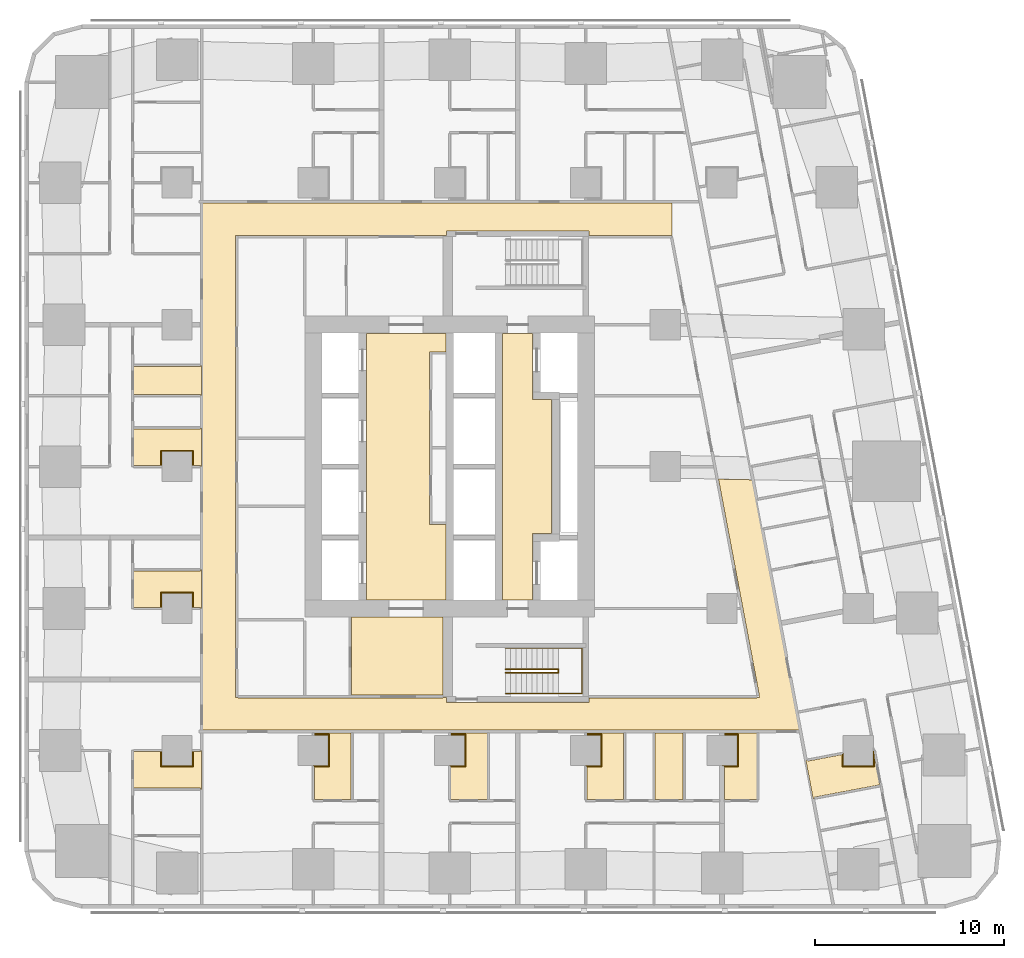
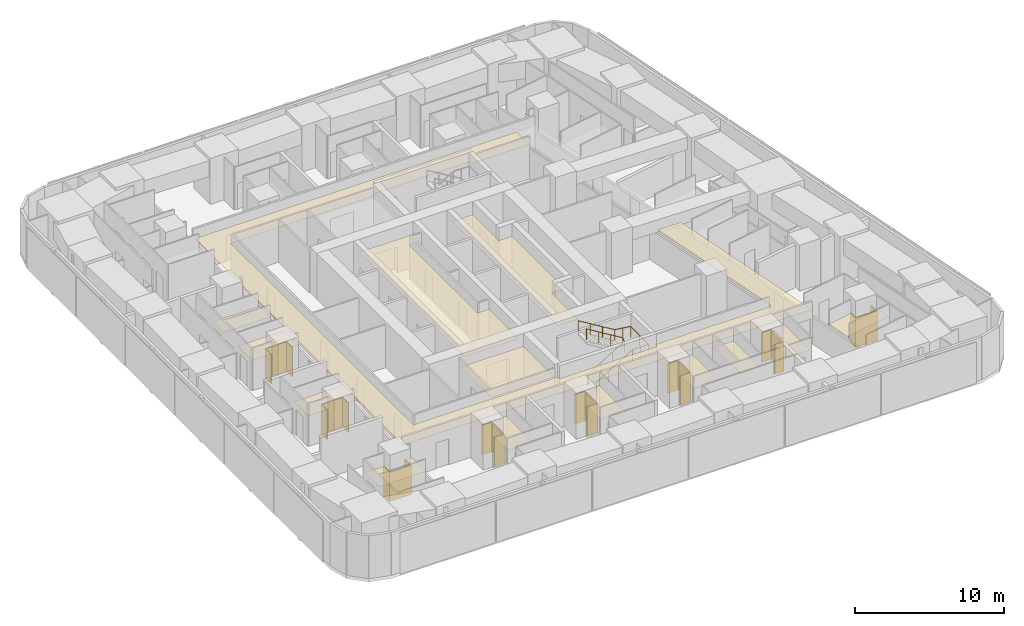
# One storey, part 14 of 16: 22 coverings, 2 railings.
"""IFC4 building model written with IfcOpenShell, lengths in metres."""

from ifc_helpers import new_model, si_unit, direction, frame, origin, origin_2d, place, context, subcontext, project, spatial, polyline, circle, outline, extrude, material, layer, layer_set, type_object, element, save


model = new_model("IFC4")

# Units and contexts
model_context = context("Model", 3, precision=1e-05, world=origin(), true_north=direction((0.0, 1.0)))
body_context = subcontext(model_context, "Body", "Model", "MODEL_VIEW")
ifc_project = project(units=[si_unit("LENGTHUNIT", "METRE"), si_unit("AREAUNIT", "SQUARE_METRE"), si_unit("VOLUMEUNIT", "CUBIC_METRE"), si_unit("PLANEANGLEUNIT", "RADIAN"), si_unit("MASSUNIT", "GRAM", prefix="KILO")], contexts=[model_context])

# Site, building, storey
site_placement = place(None, origin())
site = spatial("IfcSite", under=ifc_project, at=site_placement, CompositionType="ELEMENT")
building_placement = place(site_placement, origin())
building = spatial("IfcBuilding", under=site, at=building_placement, Name="Sheger Commons Tower", CompositionType="ELEMENT")
storey_placement = place(building_placement, frame((0.0, 0.0, 96.64990234375)))
storey = spatial("IfcBuildingStorey", under=building, at=storey_placement, Name="L24", CompositionType="ELEMENT", Elevation=96.64990234375)

# Railings
ifc_material_1 = material(Name="Steel handrail, black powder-coated", Category="steel")
railing_type = type_object("IfcRailingType", Name="HANDRAIL 900", PredefinedType="HANDRAIL", material=ifc_material_1)
railing_1_placement = place(storey_placement, frame((24.550048828125, 11.60009765625, 0.170654296875)))
element("IfcRailing", 1, at=railing_1_placement, inside=storey, type_object=railing_type, Name="Stair S1 handrail L24", PredefinedType="HANDRAIL", context=body_context, shape_type="SweptSolid", body=[
    extrude(circle(Radius=0.02392578125, at=origin_2d()), frame((0.0, 0.0, 0.8759765625), z_axis=(0.854202870247, 0.0, 0.519939858505), x_axis=(0.0, 1.0, 0.0)), (0.0, 0.0, 1.0), 3.278076171875),
    extrude(circle(Radius=0.02392578125, at=origin_2d()), frame((2.800048828125, 0.0, 2.580078125), z_axis=(0.0, 0.760631612298, 0.649183757016), x_axis=(-1.0, 0.0, 0.0)), (0.0, 0.0, 1.0), 0.262939453125),
    extrude(circle(Radius=0.02392578125, at=origin_2d()), frame((2.800048828125, 0.199951171875, 2.7509765625), z_axis=(-0.854202870247, 0.0, 0.519939858505), x_axis=(0.0, -1.0, 0.0)), (0.0, 0.0, 1.0), 3.278076171875),
    extrude(circle(Radius=0.02099609375, at=origin_2d()), origin(), (0.0, 0.0, 1.0), 0.851806640625),
    extrude(circle(Radius=0.02099609375, at=origin_2d()), frame((0.933349609375, 0.0, 0.568115234375)), (0.0, 0.0, 1.0), 0.851806640625),
    extrude(circle(Radius=0.02099609375, at=origin_2d()), frame((1.86669921875, 0.0, 1.13623046875)), (0.0, 0.0, 1.0), 0.851806640625),
    extrude(circle(Radius=0.02099609375, at=origin_2d()), frame((2.800048828125, 0.0, 1.704345703125)), (0.0, 0.0, 1.0), 0.851806640625),
    extrude(circle(Radius=0.02099609375, at=origin_2d()), frame((2.800048828125, 0.199951171875, 1.875)), (0.0, 0.0, 1.0), 0.851806640625),
    extrude(circle(Radius=0.02099609375, at=origin_2d()), frame((1.86669921875, 0.199951171875, 2.443115234375)), (0.0, 0.0, 1.0), 0.851806640625),
    extrude(circle(Radius=0.02099609375, at=origin_2d()), frame((0.933349609375, 0.199951171875, 3.01123046875)), (0.0, 0.0, 1.0), 0.851806640625),
    extrude(circle(Radius=0.02099609375, at=origin_2d()), frame((0.0, 0.199951171875, 3.579345703125)), (0.0, 0.0, 1.0), 0.851806640625),
])
railing_2_placement = place(storey_placement, frame((24.550048828125, 10.5, 0.170654296875)))
element("IfcRailing", 2, at=railing_2_placement, inside=storey, type_object=railing_type, Name="Stair S1 handrail L24", PredefinedType="HANDRAIL", context=body_context, shape_type="SweptSolid", body=[
    extrude(circle(Radius=0.02392578125, at=origin_2d()), frame((0.0, 0.0, 0.8759765625), z_axis=(0.854202870247, 0.0, 0.519939858505), x_axis=(0.0, 1.0, 0.0)), (0.0, 0.0, 1.0), 3.278076171875),
    extrude(circle(Radius=0.02392578125, at=origin_2d()), frame((2.800048828125, 0.0, 2.580078125), z_axis=(1.0, 0.0, 0.0), x_axis=(0.0, 1.0, 0.0)), (0.0, 0.0, 1.0), 1.25),
    extrude(circle(Radius=0.02392578125, at=origin_2d()), frame((4.050048828125, 0.0, 2.580078125), z_axis=(0.0, 1.0, 0.0), x_axis=(-1.0, 0.0, 0.0)), (0.0, 0.0, 1.0), 2.39990234375),
    extrude(circle(Radius=0.02392578125, at=origin_2d()), frame((4.050048828125, 2.39990234375, 2.580078125), z_axis=(-0.990808959222, 0.0, 0.135268645019), x_axis=(0.0, -1.0, 0.0)), (0.0, 0.0, 1.0), 1.261474609375),
    extrude(circle(Radius=0.02392578125, at=origin_2d()), frame((2.800048828125, 2.39990234375, 2.7509765625), z_axis=(-0.854202870247, 0.0, 0.519939858505), x_axis=(0.0, -1.0, 0.0)), (0.0, 0.0, 1.0), 3.278076171875),
    extrude(circle(Radius=0.02099609375, at=origin_2d()), origin(), (0.0, 0.0, 1.0), 0.851806640625),
    extrude(circle(Radius=0.02099609375, at=origin_2d()), frame((0.933349609375, 0.0, 0.568115234375)), (0.0, 0.0, 1.0), 0.851806640625),
    extrude(circle(Radius=0.02099609375, at=origin_2d()), frame((1.86669921875, 0.0, 1.13623046875)), (0.0, 0.0, 1.0), 0.851806640625),
    extrude(circle(Radius=0.02099609375, at=origin_2d()), frame((2.800048828125, 0.0, 1.704345703125)), (0.0, 0.0, 1.0), 0.851806640625),
    extrude(circle(Radius=0.02099609375, at=origin_2d()), frame((3.425048828125, 0.0, 1.704345703125)), (0.0, 0.0, 1.0), 0.851806640625),
    extrude(circle(Radius=0.02099609375, at=origin_2d()), frame((4.050048828125, 0.0, 1.704345703125)), (0.0, 0.0, 1.0), 0.851806640625),
    extrude(circle(Radius=0.02099609375, at=origin_2d()), frame((4.050048828125, 1.199951171875, 1.704345703125)), (0.0, 0.0, 1.0), 0.851806640625),
    extrude(circle(Radius=0.02099609375, at=origin_2d()), frame((4.050048828125, 2.39990234375, 1.704345703125)), (0.0, 0.0, 1.0), 0.851806640625),
    extrude(circle(Radius=0.02099609375, at=origin_2d()), frame((3.425048828125, 2.39990234375, 1.78955078125)), (0.0, 0.0, 1.0), 0.851806640625),
    extrude(circle(Radius=0.02099609375, at=origin_2d()), frame((2.800048828125, 2.39990234375, 1.875)), (0.0, 0.0, 1.0), 0.851806640625),
    extrude(circle(Radius=0.02099609375, at=origin_2d()), frame((1.86669921875, 2.39990234375, 2.443115234375)), (0.0, 0.0, 1.0), 0.851806640625),
    extrude(circle(Radius=0.02099609375, at=origin_2d()), frame((0.933349609375, 2.39990234375, 3.01123046875)), (0.0, 0.0, 1.0), 0.851806640625),
    extrude(circle(Radius=0.02099609375, at=origin_2d()), frame((0.0, 2.39990234375, 3.579345703125)), (0.0, 0.0, 1.0), 0.851806640625),
])

# Coverings
ifc_material_2 = material(Name="Moisture-resistant gypsum plasterboard 15 mm on a suspended galvanised steel grid", Category="steel")
ifc_layer_1 = layer(ifc_material_2, 0.014892578125)
ifc_layer_set_1 = layer_set([ifc_layer_1], Name="MOISTURE-RESISTANT CEILING 15")
covering_type_1 = type_object("IfcCoveringType", Name="MOISTURE-RESISTANT CEILING 15", PredefinedType="CEILING", material=ifc_layer_set_1)
covering_1_placement = place(storey_placement, frame((0.0, 0.0, 2.400146484375)))
element("IfcCovering", 3, at=covering_1_placement, inside=storey, type_object=covering_type_1, Name="L24-01.B1 ceiling", PredefinedType="CEILING", context=body_context, shape_type="SweptSolid", body=[
    extrude(outline(polyline([(8.429931640625, 5.449951171875), (8.5, 5.449951171875), (8.5, 7.5), (8.429931640625, 7.5), (8.429931640625, 7.445068359375), (8.0048828125, 7.445068359375), (8.0048828125, 6.695068359375), (6.39501953125, 6.695068359375), (6.39501953125, 7.445068359375), (4.905029296875, 7.445068359375), (4.905029296875, 5.5048828125), (8.429931640625, 5.5048828125), (8.429931640625, 5.449951171875)])), origin(), (0.0, 0.0, 1.0), 0.014892578125),
])
covering_2_placement = place(storey_placement, frame((0.0, 0.0, 2.400146484375)))
element("IfcCovering", 4, at=covering_2_placement, inside=storey, type_object=covering_type_1, Name="L24-02.B1 ceiling", PredefinedType="CEILING", context=body_context, shape_type="SweptSolid", body=[
    extrude(outline(polyline([(8.429931640625, 15.0), (8.5, 15.0), (8.5, 17.050048828125), (8.429931640625, 17.050048828125), (8.429931640625, 16.9951171875), (4.905029296875, 16.9951171875), (4.905029296875, 15.054931640625), (6.39501953125, 15.054931640625), (6.39501953125, 15.804931640625), (8.0048828125, 15.804931640625), (8.0048828125, 15.054931640625), (8.429931640625, 15.054931640625), (8.429931640625, 15.0)])), origin(), (0.0, 0.0, 1.0), 0.014892578125),
])
covering_3_placement = place(storey_placement, frame((0.0, 0.0, 2.400146484375)))
element("IfcCovering", 5, at=covering_3_placement, inside=storey, type_object=covering_type_1, Name="L24-03.B1 ceiling", PredefinedType="CEILING", context=body_context, shape_type="SweptSolid", body=[
    extrude(outline(polyline([(8.429931640625, 22.5), (8.5, 22.5), (8.5, 24.550048828125), (8.429931640625, 24.550048828125), (8.429931640625, 24.4951171875), (4.905029296875, 24.4951171875), (4.905029296875, 22.554931640625), (6.39501953125, 22.554931640625), (6.39501953125, 23.304931640625), (8.0048828125, 23.304931640625), (8.0048828125, 22.554931640625), (8.429931640625, 22.554931640625), (8.429931640625, 22.5)])), origin(), (0.0, 0.0, 1.0), 0.014892578125),
])
covering_4_placement = place(storey_placement, frame((0.0, 0.0, 2.400146484375)))
element("IfcCovering", 6, at=covering_4_placement, inside=storey, type_object=covering_type_1, Name="L24-03.B2 ceiling", PredefinedType="CEILING", context=body_context, shape_type="SweptSolid", body=[
    extrude(outline(polyline([(8.429931640625, 26.25), (8.5, 26.25), (8.5, 27.85009765625), (8.429931640625, 27.85009765625), (8.429931640625, 27.794921875), (4.905029296875, 27.794921875), (4.905029296875, 26.304931640625), (8.429931640625, 26.304931640625), (8.429931640625, 26.25)])), origin(), (0.0, 0.0, 1.0), 0.014892578125),
])
covering_5_placement = place(storey_placement, frame((0.0, 0.0, 2.400146484375)))
element("IfcCovering", 7, at=covering_5_placement, inside=storey, type_object=covering_type_1, Name="L24-05.B1 ceiling", PredefinedType="CEILING", context=body_context, shape_type="SweptSolid", body=[
    extrude(outline(polyline([(14.455078125, 4.905029296875), (16.39501953125, 4.905029296875), (16.39501953125, 8.419921875), (14.455078125, 8.419921875), (14.455078125, 8.304931640625), (15.205078125, 8.304931640625), (15.205078125, 6.695068359375), (14.455078125, 6.695068359375), (14.455078125, 4.905029296875)])), origin(), (0.0, 0.0, 1.0), 0.014892578125),
])
covering_6_placement = place(storey_placement, frame((0.0, 0.0, 2.400146484375)))
element("IfcCovering", 8, at=covering_6_placement, inside=storey, type_object=covering_type_1, Name="L24-06.B1 ceiling", PredefinedType="CEILING", context=body_context, shape_type="SweptSolid", body=[
    extrude(outline(polyline([(21.655029296875, 4.905029296875), (23.594970703125, 4.905029296875), (23.594970703125, 8.419921875), (21.655029296875, 8.419921875), (21.655029296875, 8.304931640625), (22.405029296875, 8.304931640625), (22.405029296875, 6.695068359375), (21.655029296875, 6.695068359375), (21.655029296875, 4.905029296875)])), origin(), (0.0, 0.0, 1.0), 0.014892578125),
])
covering_7_placement = place(storey_placement, frame((0.0, 0.0, 2.400146484375)))
element("IfcCovering", 9, at=covering_7_placement, inside=storey, type_object=covering_type_1, Name="L24-07.B1 ceiling", PredefinedType="CEILING", context=body_context, shape_type="SweptSolid", body=[
    extrude(outline(polyline([(28.85498046875, 4.905029296875), (30.794921875, 4.905029296875), (30.794921875, 8.419921875), (28.85498046875, 8.419921875), (28.85498046875, 8.304931640625), (29.60498046875, 8.304931640625), (29.60498046875, 6.695068359375), (28.85498046875, 6.695068359375), (28.85498046875, 4.905029296875)])), origin(), (0.0, 0.0, 1.0), 0.014892578125),
])
covering_8_placement = place(storey_placement, frame((0.0, 0.0, 2.400146484375)))
element("IfcCovering", 10, at=covering_8_placement, inside=storey, type_object=covering_type_1, Name="L24-07.B2 ceiling", PredefinedType="CEILING", context=body_context, shape_type="SweptSolid", body=[
    extrude(outline(polyline([(32.455078125, 4.905029296875), (33.945068359375, 4.905029296875), (33.945068359375, 8.419921875), (32.455078125, 8.419921875), (32.455078125, 4.905029296875)])), origin(), (0.0, 0.0, 1.0), 0.014892578125),
])
covering_9_placement = place(storey_placement, frame((0.0, 0.0, 2.400146484375)))
element("IfcCovering", 11, at=covering_9_placement, inside=storey, type_object=covering_type_1, Name="L24-08.B1 ceiling", PredefinedType="CEILING", context=body_context, shape_type="SweptSolid", body=[
    extrude(outline(polyline([(36.1298828125, 4.905029296875), (37.8349609375, 4.905029296875), (37.8349609375, 8.419921875), (36.1298828125, 8.419921875), (36.1298828125, 8.304931640625), (36.804931640625, 8.304931640625), (36.804931640625, 6.695068359375), (36.1298828125, 6.695068359375), (36.1298828125, 4.905029296875)])), origin(), (0.0, 0.0, 1.0), 0.014892578125),
])
covering_10_placement = place(storey_placement, frame((0.0, 0.0, 2.400146484375)))
element("IfcCovering", 12, at=covering_10_placement, inside=storey, type_object=covering_type_1, Name="L24-11.B1 ceiling", PredefinedType="CEILING", context=body_context, shape_type="SweptSolid", body=[
    extrude(outline(polyline([(40.81201171875, 4.962890625), (40.881103515625, 4.97607421875), (40.87109375, 5.030029296875), (44.333984375, 5.68408203125), (44.007080078125, 7.4150390625), (44.0048828125, 7.4150390625), (44.0048828125, 6.695068359375), (42.39501953125, 6.695068359375), (42.39501953125, 7.2919921875), (40.510009765625, 6.93603515625), (40.5, 6.990966796875), (40.431884765625, 6.97802734375), (40.81201171875, 4.962890625)])), origin(), (0.0, 0.0, 1.0), 0.014892578125),
])
ifc_material_3 = material(Name="Gypsum plasterboard 15 mm on a suspended steel grid", Category="steel")
ifc_layer_2 = layer(ifc_material_3, 0.014892578125)
ifc_layer_set_2 = layer_set([ifc_layer_2], Name="SUSPENDED CEILING 15")
covering_type_2 = type_object("IfcCoveringType", Name="SUSPENDED CEILING 15", PredefinedType="CEILING", material=ifc_layer_set_2)
covering_11_placement = place(storey_placement, frame((0.0, 0.0, 2.7001953125)))
element("IfcCovering", 13, at=covering_11_placement, inside=storey, type_object=covering_type_2, Name="L24-CO ceiling", PredefinedType="CEILING", context=body_context, shape_type="SweptSolid", body=[
    extrude(outline(polyline([(40.05810546875, 8.5), (40.14404296875, 8.5), (37.632080078125, 21.801025390625), (35.81103515625, 21.837890625), (37.967041015625, 10.4208984375), (37.949951171875, 10.4169921875), (37.971923828125, 10.300048828125), (37.841064453125, 10.300048828125), (37.841064453125, 10.281982421875), (28.955078125, 10.281982421875), (28.955078125, 10.044921875), (21.445068359375, 10.044921875), (21.445068359375, 10.300048828125), (21.2548828125, 10.300048828125), (21.2548828125, 10.281982421875), (10.407958984375, 10.281982421875), (10.407958984375, 10.294921875), (10.281982421875, 10.294921875), (10.281982421875, 34.705078125), (10.407958984375, 34.705078125), (10.407958984375, 34.718017578125), (21.2548828125, 34.718017578125), (21.2548828125, 34.699951171875), (21.445068359375, 34.699951171875), (21.445068359375, 34.955078125), (28.955078125, 34.955078125), (28.955078125, 34.718017578125), (33.3359375, 34.718017578125), (33.3359375, 34.699951171875), (33.361083984375, 34.699951171875), (33.361083984375, 36.419921875), (8.5, 36.419921875), (8.5, 8.580078125), (40.05810546875, 8.580078125), (40.05810546875, 8.5)])), origin(), (0.0, 0.0, 1.0), 0.014892578125),
])
covering_12_placement = place(storey_placement, frame((0.0, 0.0, 2.7001953125)))
element("IfcCovering", 14, at=covering_12_placement, inside=storey, type_object=covering_type_2, Name="L24-SVS1 ceiling", PredefinedType="CEILING", context=body_context, shape_type="SweptSolid", body=[
    extrude(outline(polyline([(16.406982421875, 10.41796875), (21.2451171875, 10.41796875), (21.2451171875, 14.544921875), (16.406982421875, 14.544921875), (16.406982421875, 10.41796875)])), origin(), (0.0, 0.0, 1.0), 0.014892578125),
])
covering_13_placement = place(storey_placement, frame((0.0, 0.0, 2.7001953125)))
element("IfcCovering", 15, at=covering_13_placement, inside=storey, type_object=covering_type_2, Name="L24-LL ceiling", PredefinedType="CEILING", context=body_context, shape_type="SweptSolid", body=[
    extrude(outline(polyline([(17.205078125, 15.455078125), (21.39990234375, 15.455078125), (21.39990234375, 19.43310546875), (20.657958984375, 19.43310546875), (20.532958984375, 19.43310546875), (20.532958984375, 28.56689453125), (20.657958984375, 28.56689453125), (21.39990234375, 28.56689453125), (21.39990234375, 29.544921875), (17.205078125, 29.544921875), (17.205078125, 15.455078125)])), origin(), (0.0, 0.0, 1.0), 0.014892578125),
])
covering_14_placement = place(storey_placement, frame((0.0, 0.0, 2.7001953125)))
element("IfcCovering", 16, at=covering_14_placement, inside=storey, type_object=covering_type_2, Name="L24-FL ceiling", PredefinedType="CEILING", context=body_context, shape_type="SweptSolid", body=[
    extrude(outline(polyline([(24.405029296875, 15.455078125), (25.9951171875, 15.455078125), (25.9951171875, 18.955078125), (26.9951171875, 18.955078125), (26.9951171875, 26.044921875), (25.9951171875, 26.044921875), (25.9951171875, 29.544921875), (24.405029296875, 29.544921875), (24.405029296875, 15.455078125)])), origin(), (0.0, 0.0, 1.0), 0.014892578125),
])
ifc_material_4 = material(Name="Moisture-resistant gypsum board 12.5 mm on 25 mm treated timber battens, tanked and tiled", Category="wood")
ifc_layer_3 = layer(ifc_material_4, 0.050048828125)
ifc_layer_set_3 = layer_set([ifc_layer_3], Name="WET-ROOM COLUMN LINING")
covering_type_3 = type_object("IfcCoveringType", Name="WET-ROOM COLUMN LINING", PredefinedType="CLADDING", material=ifc_layer_set_3)
covering_15_placement = place(storey_placement, origin())
element("IfcCovering", 17, at=covering_15_placement, inside=storey, type_object=covering_type_3, Name="Bathroom column lining C9 L24", PredefinedType="CLADDING", context=body_context, shape_type="SweptSolid", body=[
    extrude(outline(polyline([(6.39990234375, 7.5), (6.39990234375, 6.699951171875), (8.0, 6.699951171875), (8.0, 7.5), (8.0009765625, 7.5), (8.0009765625, 7.449951171875), (8.050048828125, 7.449951171875), (8.050048828125, 6.64990234375), (6.35009765625, 6.64990234375), (6.35009765625, 7.449951171875), (6.39892578125, 7.449951171875), (6.39892578125, 7.5), (6.39990234375, 7.5)])), origin(), (0.0, 0.0, 1.0), 2.400146484375),
])
covering_16_placement = place(storey_placement, origin())
element("IfcCovering", 18, at=covering_16_placement, inside=storey, type_object=covering_type_3, Name="Bathroom column lining C9 L24", PredefinedType="CLADDING", context=body_context, shape_type="SweptSolid", body=[
    extrude(outline(polyline([(15.25, 6.64990234375), (14.449951171875, 6.64990234375), (14.449951171875, 6.698974609375), (14.39990234375, 6.698974609375), (14.39990234375, 6.699951171875), (15.199951171875, 6.699951171875), (15.199951171875, 8.300048828125), (14.39990234375, 8.300048828125), (14.39990234375, 8.301025390625), (14.449951171875, 8.301025390625), (14.449951171875, 8.35009765625), (15.25, 8.35009765625), (15.25, 6.64990234375)])), origin(), (0.0, 0.0, 1.0), 2.400146484375),
])
covering_17_placement = place(storey_placement, origin())
element("IfcCovering", 19, at=covering_17_placement, inside=storey, type_object=covering_type_3, Name="Bathroom column lining C9 L24", PredefinedType="CLADDING", context=body_context, shape_type="SweptSolid", body=[
    extrude(outline(polyline([(22.449951171875, 6.64990234375), (21.64990234375, 6.64990234375), (21.64990234375, 6.698974609375), (21.60009765625, 6.698974609375), (21.60009765625, 6.699951171875), (22.39990234375, 6.699951171875), (22.39990234375, 8.300048828125), (21.60009765625, 8.300048828125), (21.60009765625, 8.301025390625), (21.64990234375, 8.301025390625), (21.64990234375, 8.35009765625), (22.449951171875, 8.35009765625), (22.449951171875, 6.64990234375)])), origin(), (0.0, 0.0, 1.0), 2.400146484375),
])
covering_18_placement = place(storey_placement, origin())
element("IfcCovering", 20, at=covering_18_placement, inside=storey, type_object=covering_type_3, Name="Bathroom column lining C9 L24", PredefinedType="CLADDING", context=body_context, shape_type="SweptSolid", body=[
    extrude(outline(polyline([(29.64990234375, 6.64990234375), (28.85009765625, 6.64990234375), (28.85009765625, 6.698974609375), (28.800048828125, 6.698974609375), (28.800048828125, 6.699951171875), (29.60009765625, 6.699951171875), (29.60009765625, 8.300048828125), (28.800048828125, 8.300048828125), (28.800048828125, 8.301025390625), (28.85009765625, 8.301025390625), (28.85009765625, 8.35009765625), (29.64990234375, 8.35009765625), (29.64990234375, 6.64990234375)])), origin(), (0.0, 0.0, 1.0), 2.400146484375),
])
covering_19_placement = place(storey_placement, origin())
element("IfcCovering", 21, at=covering_19_placement, inside=storey, type_object=covering_type_3, Name="Shower room column lining C9 L24", PredefinedType="CLADDING", context=body_context, shape_type="SweptSolid", body=[
    extrude(outline(polyline([(36.85009765625, 6.64990234375), (36.125, 6.64990234375), (36.125, 6.698974609375), (36.0, 6.698974609375), (36.0, 6.699951171875), (36.800048828125, 6.699951171875), (36.800048828125, 8.300048828125), (36.0, 8.300048828125), (36.0, 8.301025390625), (36.125, 8.301025390625), (36.125, 8.35009765625), (36.85009765625, 8.35009765625), (36.85009765625, 6.64990234375)])), origin(), (0.0, 0.0, 1.0), 2.400146484375),
])
covering_20_placement = place(storey_placement, origin())
element("IfcCovering", 22, at=covering_20_placement, inside=storey, type_object=covering_type_3, Name="Bathroom column lining C9 L24", PredefinedType="CLADDING", context=body_context, shape_type="SweptSolid", body=[
    extrude(outline(polyline([(42.39990234375, 7.35009765625), (42.39990234375, 6.699951171875), (44.0, 6.699951171875), (44.0, 7.47998046875), (44.050048828125, 7.215087890625), (44.050048828125, 6.64990234375), (42.35009765625, 6.64990234375), (42.35009765625, 7.2890625), (42.39892578125, 7.298095703125), (42.389892578125, 7.347900390625), (42.39990234375, 7.35009765625)])), origin(), (0.0, 0.0, 1.0), 2.400146484375),
])
covering_21_placement = place(storey_placement, origin())
element("IfcCovering", 23, at=covering_21_placement, inside=storey, type_object=covering_type_3, Name="Bathroom column lining C9 L24", PredefinedType="CLADDING", context=body_context, shape_type="SweptSolid", body=[
    extrude(outline(polyline([(8.050048828125, 15.85009765625), (8.050048828125, 15.050048828125), (8.0009765625, 15.050048828125), (8.0009765625, 15.0), (8.0, 15.0), (8.0, 15.800048828125), (6.39990234375, 15.800048828125), (6.39990234375, 15.0), (6.39892578125, 15.0), (6.39892578125, 15.050048828125), (6.35009765625, 15.050048828125), (6.35009765625, 15.85009765625), (8.050048828125, 15.85009765625)])), origin(), (0.0, 0.0, 1.0), 2.400146484375),
])
covering_22_placement = place(storey_placement, origin())
element("IfcCovering", 24, at=covering_22_placement, inside=storey, type_object=covering_type_3, Name="Bathroom column lining C9 L24", PredefinedType="CLADDING", context=body_context, shape_type="SweptSolid", body=[
    extrude(outline(polyline([(8.050048828125, 23.35009765625), (8.050048828125, 22.550048828125), (8.0009765625, 22.550048828125), (8.0009765625, 22.5), (8.0, 22.5), (8.0, 23.300048828125), (6.39990234375, 23.300048828125), (6.39990234375, 22.5), (6.39892578125, 22.5), (6.39892578125, 22.550048828125), (6.35009765625, 22.550048828125), (6.35009765625, 23.35009765625), (8.050048828125, 23.35009765625)])), origin(), (0.0, 0.0, 1.0), 2.400146484375),
])

save(model, "model.ifc")
